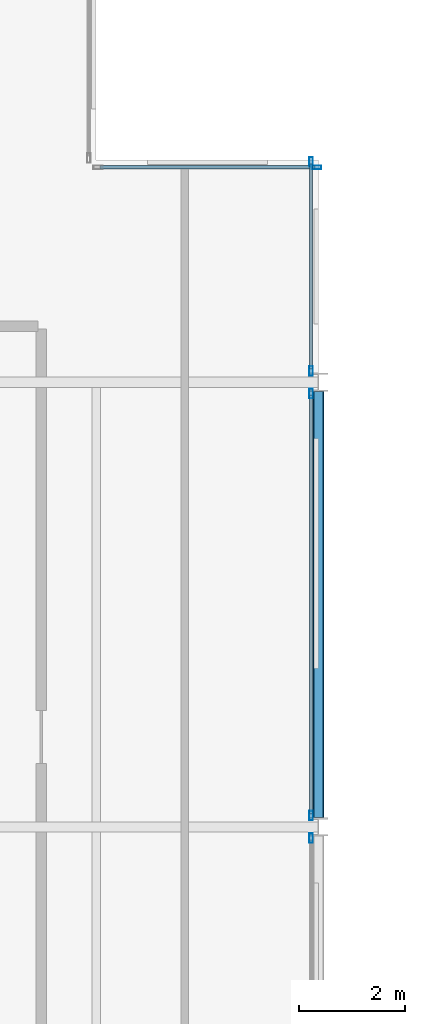
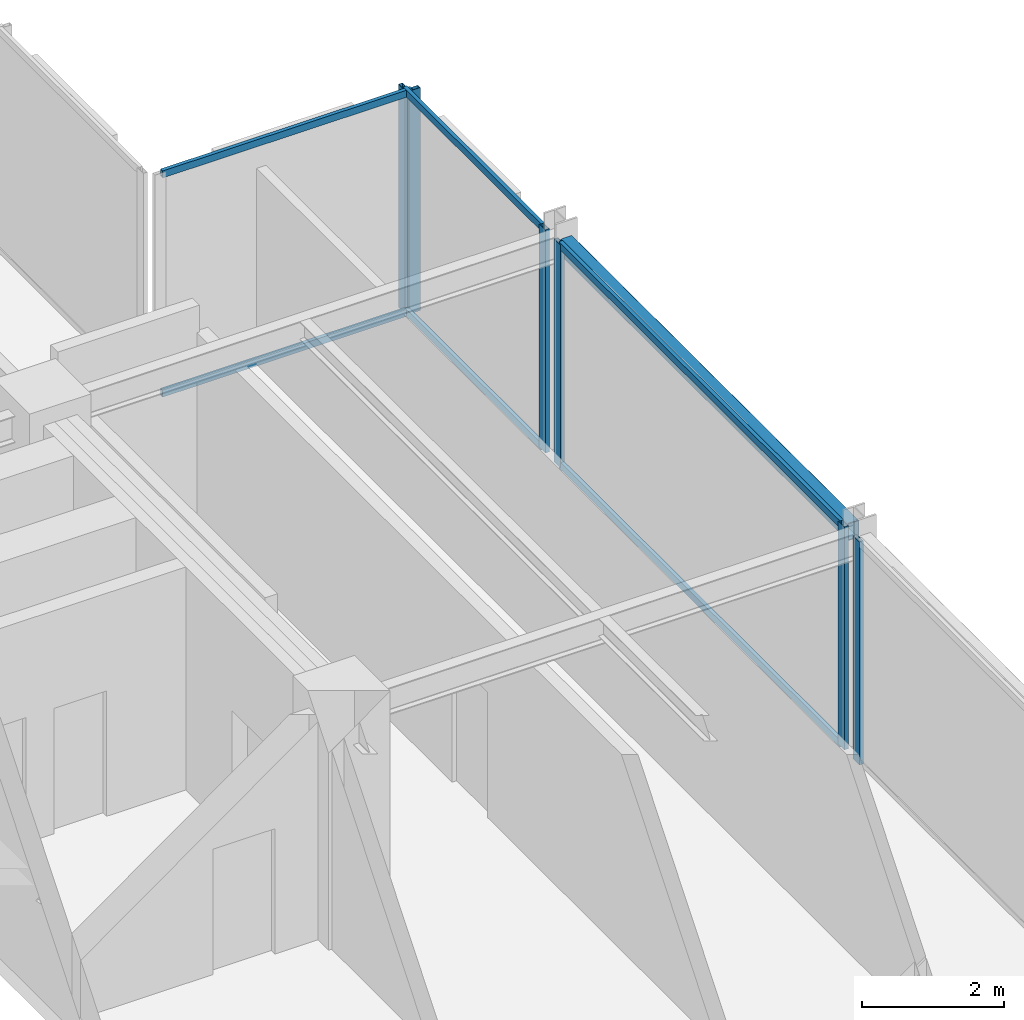
# One storey, part 22 of 29: 12 members, 1 beam, 4 elements without a shape of their own.
"""IFC4 building model written with IfcOpenShell, lengths in metres."""

from ifc_helpers import new_model, si_unit, direction, frame, origin, origin_2d, place, context, subcontext, project, spatial, hollow_rectangle, extrude, material, layer, layer_set, material_profile, profile_set, type_object, element, aggregate, save


model = new_model("IFC4")

# Units and contexts
model_context = context("Model", 3, precision=1e-05, world=origin(), true_north=direction((0.0, 1.0)))
body_context = subcontext(model_context, "Body", "Model", "MODEL_VIEW")
ifc_project = project(units=[si_unit("LENGTHUNIT", "METRE"), si_unit("AREAUNIT", "SQUARE_METRE"), si_unit("VOLUMEUNIT", "CUBIC_METRE"), si_unit("PLANEANGLEUNIT", "RADIAN"), si_unit("MASSUNIT", "GRAM", prefix="KILO")], contexts=[model_context])

# Site, building, storey
site_placement = place(None, origin())
site = spatial("IfcSite", under=ifc_project, at=site_placement, CompositionType="ELEMENT")
building_placement = place(site_placement, origin())
building = spatial("IfcBuilding", under=site, at=building_placement, Name="Nerrivon Quay Data Exchange", CompositionType="ELEMENT")
storey_placement = place(building_placement, frame((0.0, 0.0, 212.39990234375)))
storey = spatial("IfcBuildingStorey", under=building, at=storey_placement, Name="L50", CompositionType="ELEMENT", Elevation=212.39990234375)

# Beam
ifc_material_1 = material(Name="Steel Grade C350L0 (350 MPa)", Category="steel")
ifc_material_profile_1 = material_profile(ifc_material_1, hollow_rectangle(XDim=0.199951171875, YDim=0.300048828125, WallThickness=0.012451171875, InnerFilletRadius=0.018798828125, OuterFilletRadius=0.03125, at=origin_2d()), Name="300x200x12.5RHS")
ifc_profile_set_1 = profile_set([ifc_material_profile_1], Name="Steel Grade C350L0 (350 MPa)")
beam_type = type_object("IfcBeamType", Name="BM-SP3-300x200RHS", PredefinedType="SPANDREL", material=ifc_profile_set_1)
beam_placement = place(storey_placement, frame((25.199951171875, 33.77490234375, 3.675048828125), z_axis=(0.0, 1.0, 0.0), x_axis=(-1.0, 0.0, 0.0)))
element("IfcBeam", 1, at=beam_placement, inside=storey, type_object=beam_type, Name="L50 NS Girder X=25.2 (33.6..42.0)", PredefinedType="SPANDREL", context=body_context, shape_type="SweptSolid", body=[
    extrude(hollow_rectangle(XDim=0.199951171875, YDim=0.300048828125, WallThickness=0.012451171875, InnerFilletRadius=0.018798828125, OuterFilletRadius=0.03125, at=origin_2d()), origin(), (0.0, 0.0, 1.0), 8.050048828125),
])

# Curtain wall, member
ifc_material_2 = material(Name="Anodised aluminium 6063-T6", Category="aluminium")
ifc_layer = layer(ifc_material_2, 0.195068359375)
ifc_layer_set = layer_set([ifc_layer], Name="Anodised aluminium 6063-T6")
curtain_wall_type = type_object("IfcCurtainWallType", Name="CW-SYS-06", PredefinedType="NOTDEFINED", material=ifc_layer_set)
curtain_wall_1_placement = place(storey_placement, origin())
curtain_wall_1 = element("IfcCurtainWall", 2, at=curtain_wall_1_placement, inside=storey, type_object=curtain_wall_type, Name="L50 Unitised Curtain Wall 12", PredefinedType="NOTDEFINED")
ifc_material_profile_2 = material_profile(ifc_material_2, hollow_rectangle(XDim=0.06494140625, YDim=0.179931640625, WallThickness=0.00341796875, at=origin_2d()), Name="ALU-MULL-180x65")
ifc_profile_set_2 = profile_set([ifc_material_profile_2], Name="Anodised aluminium 6063-T6")
member_type_1 = type_object("IfcMemberType", Name="CWM-180x65", PredefinedType="MULLION", material=ifc_profile_set_2)
member_1_placement = place(storey_placement, frame((25.16259765625, 46.06005859375, 0.0), z_axis=(0.0, 0.0, 1.0), x_axis=(0.0, 1.0, 0.0)))
member_1 = element("IfcMember", 3, at=member_1_placement, type_object=member_type_1, Name="CW06 mullion 2", PredefinedType="MULLION", context=body_context, shape_type="SweptSolid", body=[
    extrude(hollow_rectangle(XDim=0.06494140625, YDim=0.179931640625, WallThickness=0.00341796875, at=origin_2d()), origin(), (0.0, 0.0, 1.0), 3.8251953125),
])

# Curtain wall, members
curtain_wall_2_placement = place(storey_placement, origin())
curtain_wall_2 = element("IfcCurtainWall", 4, at=curtain_wall_2_placement, inside=storey, type_object=curtain_wall_type, Name="L50 Unitised Curtain Wall 13", PredefinedType="NOTDEFINED")
member_2_placement = place(storey_placement, frame((25.06005859375, 46.16259765625, 0.0), z_axis=(0.0, 0.0, 1.0), x_axis=(1.0, 0.0, 0.0)))
member_2 = element("IfcMember", 5, at=member_2_placement, type_object=member_type_1, Name="CW06 mullion 1", PredefinedType="MULLION", context=body_context, shape_type="SweptSolid", body=[
    extrude(hollow_rectangle(XDim=0.06494140625, YDim=0.179931640625, WallThickness=0.00341796875, at=origin_2d()), origin(), (0.0, 0.0, 1.0), 3.8251953125),
])
member_3_placement = place(storey_placement, frame((25.06005859375, 42.21240234375, 0.0), z_axis=(0.0, 0.0, 1.0), x_axis=(1.0, 0.0, 0.0)))
member_3 = element("IfcMember", 6, at=member_3_placement, type_object=member_type_1, Name="CW06 mullion 2", PredefinedType="MULLION", context=body_context, shape_type="SweptSolid", body=[
    extrude(hollow_rectangle(XDim=0.06494140625, YDim=0.179931640625, WallThickness=0.00341796875, at=origin_2d()), origin(), (0.0, 0.0, 1.0), 3.8251953125),
])

curtain_wall_3_placement = place(storey_placement, origin())
curtain_wall_3 = element("IfcCurtainWall", 7, at=curtain_wall_3_placement, inside=storey, type_object=curtain_wall_type, Name="L50 Unitised Curtain Wall 14", PredefinedType="NOTDEFINED")
member_4_placement = place(storey_placement, frame((25.06005859375, 41.78759765625, 0.0), z_axis=(0.0, 0.0, 1.0), x_axis=(1.0, 0.0, 0.0)))
member_4 = element("IfcMember", 8, at=member_4_placement, type_object=member_type_1, Name="CW06 mullion 1", PredefinedType="MULLION", context=body_context, shape_type="SweptSolid", body=[
    extrude(hollow_rectangle(XDim=0.06494140625, YDim=0.179931640625, WallThickness=0.00341796875, at=origin_2d()), origin(), (0.0, 0.0, 1.0), 3.8251953125),
])
member_5_placement = place(storey_placement, frame((25.06005859375, 33.8125, 0.0), z_axis=(0.0, 0.0, 1.0), x_axis=(1.0, 0.0, 0.0)))
member_5 = element("IfcMember", 9, at=member_5_placement, type_object=member_type_1, Name="CW06 mullion 2", PredefinedType="MULLION", context=body_context, shape_type="SweptSolid", body=[
    extrude(hollow_rectangle(XDim=0.06494140625, YDim=0.179931640625, WallThickness=0.00341796875, at=origin_2d()), origin(), (0.0, 0.0, 1.0), 3.8251953125),
])

# Curtain wall, member
curtain_wall_4_placement = place(storey_placement, origin())
curtain_wall_4 = element("IfcCurtainWall", 10, at=curtain_wall_4_placement, inside=storey, type_object=curtain_wall_type, Name="L50 Unitised Curtain Wall 15", PredefinedType="NOTDEFINED")
member_6_placement = place(storey_placement, frame((25.06005859375, 33.387451171875, 0.0), z_axis=(0.0, 0.0, 1.0), x_axis=(1.0, 0.0, 0.0)))
member_6 = element("IfcMember", 11, at=member_6_placement, type_object=member_type_1, Name="CW06 mullion 1", PredefinedType="MULLION", context=body_context, shape_type="SweptSolid", body=[
    extrude(hollow_rectangle(XDim=0.06494140625, YDim=0.179931640625, WallThickness=0.00341796875, at=origin_2d()), origin(), (0.0, 0.0, 1.0), 3.8251953125),
])
aggregate(curtain_wall_4, [member_6])

# Member
ifc_material_profile_3 = material_profile(ifc_material_2, hollow_rectangle(XDim=0.06005859375, YDim=0.1201171875, WallThickness=0.003173828125, at=origin_2d()), Name="ALU-TRAN-120x60")
ifc_profile_set_3 = profile_set([ifc_material_profile_3], Name="Anodised aluminium 6063-T6")
member_type_2 = type_object("IfcMemberType", Name="CWT-120x60", PredefinedType="USERDEFINED", material=ifc_profile_set_3)
member_7_placement = place(storey_placement, frame((21.074951171875, 46.06005859375, 0.03271484375), z_axis=(1.0, 0.0, 0.0), x_axis=(0.0, 1.0, 0.0)))
member_7 = element("IfcMember", 12, at=member_7_placement, type_object=member_type_2, Name="CW06 transom 1.1", ObjectType="TRANSOM", PredefinedType="USERDEFINED", context=body_context, shape_type="SweptSolid", body=[
    extrude(hollow_rectangle(XDim=0.06005859375, YDim=0.1201171875, WallThickness=0.003173828125, at=origin_2d()), origin(), (0.0, 0.0, 1.0), 4.050048828125),
])

member_8_placement = place(storey_placement, frame((21.074951171875, 46.06005859375, 3.79248046875), z_axis=(1.0, 0.0, 0.0), x_axis=(0.0, 1.0, 0.0)))
member_8 = element("IfcMember", 13, at=member_8_placement, type_object=member_type_2, Name="CW06 transom 1.2", ObjectType="TRANSOM", PredefinedType="USERDEFINED", context=body_context, shape_type="SweptSolid", body=[
    extrude(hollow_rectangle(XDim=0.06005859375, YDim=0.1201171875, WallThickness=0.003173828125, at=origin_2d()), origin(), (0.0, 0.0, 1.0), 4.050048828125),
])

aggregate(curtain_wall_1, [member_1, member_7, member_8])

member_9_placement = place(storey_placement, frame((25.06005859375, 46.125, 0.03271484375), z_axis=(0.0, -1.0, 0.0), x_axis=(1.0, 0.0, 0.0)))
member_9 = element("IfcMember", 14, at=member_9_placement, type_object=member_type_2, Name="CW06 transom 1.1", ObjectType="TRANSOM", PredefinedType="USERDEFINED", context=body_context, shape_type="SweptSolid", body=[
    extrude(hollow_rectangle(XDim=0.06005859375, YDim=0.1201171875, WallThickness=0.003173828125, at=origin_2d()), origin(), (0.0, 0.0, 1.0), 3.875),
])

member_10_placement = place(storey_placement, frame((25.06005859375, 46.125, 3.79248046875), z_axis=(0.0, -1.0, 0.0), x_axis=(1.0, 0.0, 0.0)))
member_10 = element("IfcMember", 15, at=member_10_placement, type_object=member_type_2, Name="CW06 transom 1.2", ObjectType="TRANSOM", PredefinedType="USERDEFINED", context=body_context, shape_type="SweptSolid", body=[
    extrude(hollow_rectangle(XDim=0.06005859375, YDim=0.1201171875, WallThickness=0.003173828125, at=origin_2d()), origin(), (0.0, 0.0, 1.0), 3.875),
])

aggregate(curtain_wall_2, [member_2, member_3, member_9, member_10])

member_11_placement = place(storey_placement, frame((25.06005859375, 41.75, 0.03271484375), z_axis=(0.0, -1.0, 0.0), x_axis=(1.0, 0.0, 0.0)))
member_11 = element("IfcMember", 16, at=member_11_placement, type_object=member_type_2, Name="CW06 transom 1.1", ObjectType="TRANSOM", PredefinedType="USERDEFINED", context=body_context, shape_type="SweptSolid", body=[
    extrude(hollow_rectangle(XDim=0.06005859375, YDim=0.1201171875, WallThickness=0.003173828125, at=origin_2d()), origin(), (0.0, 0.0, 1.0), 7.89990234375),
])

member_12_placement = place(storey_placement, frame((25.06005859375, 41.75, 3.79248046875), z_axis=(0.0, -1.0, 0.0), x_axis=(1.0, 0.0, 0.0)))
member_12 = element("IfcMember", 17, at=member_12_placement, type_object=member_type_2, Name="CW06 transom 1.2", ObjectType="TRANSOM", PredefinedType="USERDEFINED", context=body_context, shape_type="SweptSolid", body=[
    extrude(hollow_rectangle(XDim=0.06005859375, YDim=0.1201171875, WallThickness=0.003173828125, at=origin_2d()), origin(), (0.0, 0.0, 1.0), 7.89990234375),
])

aggregate(curtain_wall_3, [member_4, member_5, member_11, member_12])

save(model, "model.ifc")
